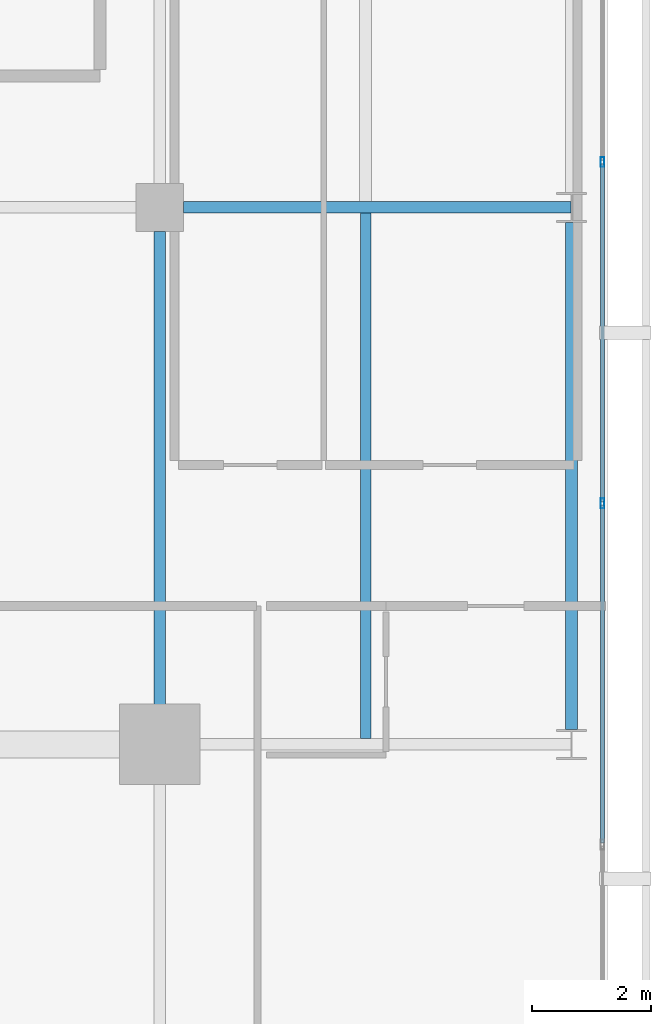
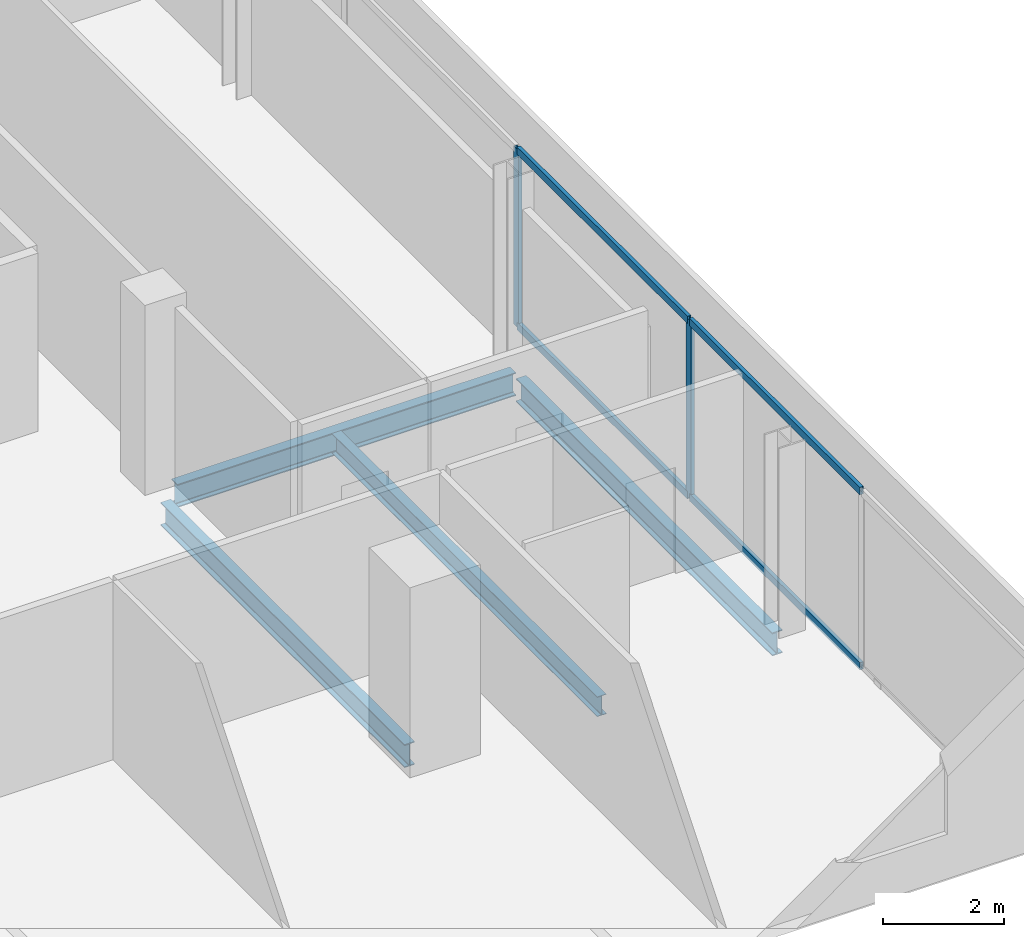
# One storey, part 12 of 23: 6 members, 4 beams, 1 element without a shape of its own.
"""IFC4 building model written with IfcOpenShell, lengths in metres."""

from ifc_helpers import new_model, si_unit, direction, frame, origin, origin_2d, place, context, subcontext, project, spatial, hollow_rectangle, i_section, extrude, material, layer, layer_set, material_profile, profile_set, type_object, element, aggregate, save


model = new_model("IFC4")

# Units and contexts
model_context = context("Model", 3, precision=1e-05, world=origin(), true_north=direction((0.0, 1.0)))
body_context = subcontext(model_context, "Body", "Model", "MODEL_VIEW")
ifc_project = project(units=[si_unit("LENGTHUNIT", "METRE"), si_unit("AREAUNIT", "SQUARE_METRE"), si_unit("VOLUMEUNIT", "CUBIC_METRE"), si_unit("PLANEANGLEUNIT", "RADIAN"), si_unit("MASSUNIT", "GRAM", prefix="KILO")], contexts=[model_context])

# Site, building, storey
site_placement = place(None, origin())
site = spatial("IfcSite", under=ifc_project, at=site_placement, CompositionType="ELEMENT")
building_placement = place(site_placement, origin())
building = spatial("IfcBuilding", under=site, at=building_placement, Name="Maruvema Waterfront Hotel and Observation Tower", CompositionType="ELEMENT")
storey_placement = place(building_placement, frame((0.0, 0.0, 341.25)))
storey = spatial("IfcBuildingStorey", under=building, at=storey_placement, Name="L84", CompositionType="ELEMENT", Elevation=341.25)

# Curtain wall, members
ifc_material_1 = material(Name="Anodised bronze aluminium and solar-control low-E IGU", Category="aluminium")
ifc_layer = layer(ifc_material_1, 0.159912109375, Name="Zone 4 Sky Residence Inner Curtain Wall System CW-05")
ifc_layer_set = layer_set([ifc_layer], Name="Anodised bronze aluminium and solar-control low-E IGU")
curtain_wall_type = type_object("IfcCurtainWallType", Name="Zone 4 Sky Residence Inner Curtain Wall System CW-05", PredefinedType="USERDEFINED", material=ifc_layer_set)
curtain_wall_placement = place(storey_placement, origin())
curtain_wall = element("IfcCurtainWall", 1, at=curtain_wall_placement, inside=storey, type_object=curtain_wall_type, Name="L84 Curtain Wall CW-L84-E", ObjectType="UNITISED CURTAIN WALL", PredefinedType="USERDEFINED")
ifc_material_2 = material(Name="Anodised architectural bronze aluminium", Category="aluminium")
ifc_material_profile_1 = material_profile(ifc_material_2, hollow_rectangle(XDim=0.070068359375, YDim=0.14990234375, WallThickness=0.00390625, at=origin_2d()), Name="ALU-T70x150")
ifc_profile_set_1 = profile_set([ifc_material_profile_1], Name="Anodised architectural bronze aluminium")
member_type_1 = type_object("IfcMemberType", Name="Curtain Wall Horizontal Transom ALU-T70x150", PredefinedType="USERDEFINED", material=ifc_profile_set_1)
member_1_placement = place(storey_placement, frame((57.820068359375, 25.35009765625, 0.030029296875), z_axis=(0.0, 1.0, 0.0), x_axis=(-1.0, 0.0, 0.0)))
member_1 = element("IfcMember", 2, at=member_1_placement, type_object=member_type_1, Name="CW-05 transom 2.1", ObjectType="TRANSOM", PredefinedType="USERDEFINED", context=body_context, shape_type="SweptSolid", body=[
    extrude(hollow_rectangle(XDim=0.070068359375, YDim=0.14990234375, WallThickness=0.00390625, at=origin_2d()), origin(), (0.0, 0.0, 1.0), 5.659912109375),
])
member_2_placement = place(storey_placement, frame((57.820068359375, 25.35009765625, 3.580078125), z_axis=(0.0, 1.0, 0.0), x_axis=(-1.0, 0.0, 0.0)))
member_2 = element("IfcMember", 3, at=member_2_placement, type_object=member_type_1, Name="CW-05 transom 2.2", ObjectType="TRANSOM", PredefinedType="USERDEFINED", context=body_context, shape_type="SweptSolid", body=[
    extrude(hollow_rectangle(XDim=0.070068359375, YDim=0.14990234375, WallThickness=0.00390625, at=origin_2d()), origin(), (0.0, 0.0, 1.0), 5.659912109375),
])
member_3_placement = place(storey_placement, frame((57.820068359375, 31.070068359375, 0.030029296875), z_axis=(0.0, 1.0, 0.0), x_axis=(-1.0, 0.0, 0.0)))
member_3 = element("IfcMember", 4, at=member_3_placement, type_object=member_type_1, Name="CW-05 transom 3.1", ObjectType="TRANSOM", PredefinedType="USERDEFINED", context=body_context, shape_type="SweptSolid", body=[
    extrude(hollow_rectangle(XDim=0.070068359375, YDim=0.14990234375, WallThickness=0.00390625, at=origin_2d()), origin(), (0.0, 0.0, 1.0), 5.659912109375),
])
member_4_placement = place(storey_placement, frame((57.820068359375, 31.070068359375, 3.580078125), z_axis=(0.0, 1.0, 0.0), x_axis=(-1.0, 0.0, 0.0)))
member_4 = element("IfcMember", 5, at=member_4_placement, type_object=member_type_1, Name="CW-05 transom 3.2", ObjectType="TRANSOM", PredefinedType="USERDEFINED", context=body_context, shape_type="SweptSolid", body=[
    extrude(hollow_rectangle(XDim=0.070068359375, YDim=0.14990234375, WallThickness=0.00390625, at=origin_2d()), origin(), (0.0, 0.0, 1.0), 5.659912109375),
])
ifc_material_3 = material(Name="Anodised architectural bronze aluminium", Category="aluminium")
ifc_material_profile_2 = material_profile(ifc_material_3, hollow_rectangle(XDim=0.06494140625, YDim=0.1650390625, WallThickness=0.00390625, at=origin_2d()), Name="ALU-M65x165")
ifc_profile_set_2 = profile_set([ifc_material_profile_2], Name="Anodised architectural bronze aluminium")
member_type_2 = type_object("IfcMemberType", Name="Curtain Wall Primary Mullion ALU-M65x165", PredefinedType="MULLION", material=ifc_profile_set_2)
member_5_placement = place(storey_placement, frame((57.820068359375, 31.0400390625, 0.0), z_axis=(0.0, 0.0, 1.0), x_axis=(-1.0, 0.0, 0.0)))
member_5 = element("IfcMember", 6, at=member_5_placement, type_object=member_type_2, Name="CW-05 mullion 3", PredefinedType="MULLION", context=body_context, shape_type="SweptSolid", body=[
    extrude(hollow_rectangle(XDim=0.06494140625, YDim=0.1650390625, WallThickness=0.00390625, at=origin_2d()), origin(), (0.0, 0.0, 1.0), 3.610107421875),
])
member_6_placement = place(storey_placement, frame((57.820068359375, 36.760009765625, 0.0), z_axis=(0.0, 0.0, 1.0), x_axis=(-1.0, 0.0, 0.0)))
member_6 = element("IfcMember", 7, at=member_6_placement, type_object=member_type_2, Name="CW-05 mullion 4", PredefinedType="MULLION", context=body_context, shape_type="SweptSolid", body=[
    extrude(hollow_rectangle(XDim=0.06494140625, YDim=0.1650390625, WallThickness=0.00390625, at=origin_2d()), origin(), (0.0, 0.0, 1.0), 3.610107421875),
])
aggregate(curtain_wall, [member_5, member_6, member_1, member_2, member_3, member_4])

# Beams
ifc_material_4 = material(Name="Steel ASTM A572 Grade 50", Category="steel")
ifc_material_profile_3 = material_profile(ifc_material_4, i_section(OverallWidth=0.194091796875, OverallDepth=0.468994140625, WebThickness=0.0126953125, FlangeThickness=0.0205078125, FilletRadius=0.014892578125, at=origin_2d()), Name="W460x106.0")
ifc_profile_set_3 = profile_set([ifc_material_profile_3], Name="Steel ASTM A572 Grade 50")
beam_type_1 = type_object("IfcBeamType", Name="Primary Floor Girder W460x106.0", PredefinedType="BEAM", material=ifc_profile_set_3)
beam_1_placement = place(storey_placement, frame((50.800048828125, 36.0, -0.474609375), z_axis=(1.0, 0.0, 0.0), x_axis=(0.0, 1.0, 0.0)))
element("IfcBeam", 8, at=beam_1_placement, inside=storey, type_object=beam_type_1, Name="L84 Floor Girder EW-14", PredefinedType="BEAM", context=body_context, shape_type="SweptSolid", body=[
    extrude(i_section(OverallWidth=0.194091796875, OverallDepth=0.468994140625, WebThickness=0.0126953125, FlangeThickness=0.0205078125, FilletRadius=0.014892578125, at=origin_2d()), origin(), (0.0, 0.0, 1.0), 6.489013671875),
])
beam_2_placement = place(storey_placement, frame((50.39990234375, 27.5, -0.474609375), z_axis=(0.0, 1.0, 0.0), x_axis=(-1.0, 0.0, 0.0)))
element("IfcBeam", 9, at=beam_2_placement, inside=storey, type_object=beam_type_1, Name="L84 Floor Girder NS-13", PredefinedType="BEAM", context=body_context, shape_type="SweptSolid", body=[
    extrude(i_section(OverallWidth=0.194091796875, OverallDepth=0.468994140625, WebThickness=0.0126953125, FlangeThickness=0.0205078125, FilletRadius=0.014892578125, at=origin_2d()), origin(), (0.0, 0.0, 1.0), 8.10009765625),
])
beam_3_placement = place(storey_placement, frame((57.300048828125, 27.25, -0.474609375), z_axis=(0.0, 1.0, 0.0), x_axis=(-1.0, 0.0, 0.0)))
element("IfcBeam", 10, at=beam_3_placement, inside=storey, type_object=beam_type_1, Name="L84 Floor Girder NS-15", PredefinedType="BEAM", context=body_context, shape_type="SweptSolid", body=[
    extrude(i_section(OverallWidth=0.194091796875, OverallDepth=0.468994140625, WebThickness=0.0126953125, FlangeThickness=0.0205078125, FilletRadius=0.014892578125, at=origin_2d()), origin(), (0.0, 0.0, 1.0), 8.5),
])
ifc_material_5 = material(Name="Steel ASTM A572 Grade 50", Category="steel")
ifc_material_profile_4 = material_profile(ifc_material_5, i_section(OverallWidth=0.177001953125, OverallDepth=0.403076171875, WebThickness=0.007568359375, FlangeThickness=0.010986328125, FilletRadius=0.014892578125, at=origin_2d()), Name="W410x53.0")
ifc_profile_set_4 = profile_set([ifc_material_profile_4], Name="Steel ASTM A572 Grade 50")
beam_type_2 = type_object("IfcBeamType", Name="Secondary Floor Joist W410x53.0", PredefinedType="JOIST", material=ifc_profile_set_4)
beam_4_placement = place(storey_placement, frame((53.85009765625, 27.096923828125, -0.44140625), z_axis=(0.0, 1.0, 0.0), x_axis=(-1.0, 0.0, 0.0)))
element("IfcBeam", 11, at=beam_4_placement, inside=storey, type_object=beam_type_2, Name="L84 Secondary Floor Joist JS-06", PredefinedType="JOIST", context=body_context, shape_type="SweptSolid", body=[
    extrude(i_section(OverallWidth=0.177001953125, OverallDepth=0.403076171875, WebThickness=0.007568359375, FlangeThickness=0.010986328125, FilletRadius=0.014892578125, at=origin_2d()), origin(), (0.0, 0.0, 1.0), 8.80615234375),
])

save(model, "model.ifc")
